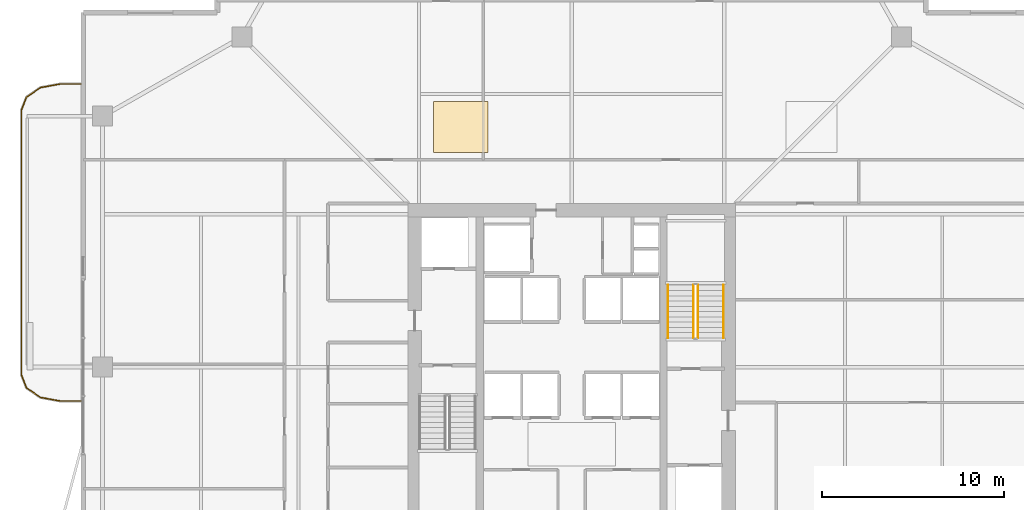
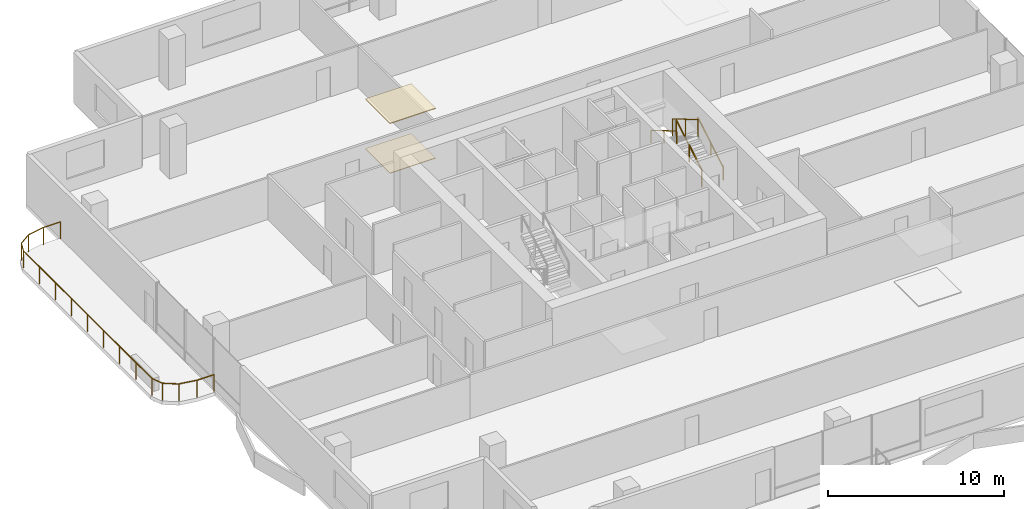
# One storey, part 23 of 24: 5 railings, 2 coverings.
"""IFC4 building model written with IfcOpenShell, lengths in metres."""

from ifc_helpers import new_model, si_unit, direction, frame, origin, origin_2d, place, context, subcontext, project, spatial, polyline, rectangle, outline, extrude, material, layer, layer_set, type_object, element, save


model = new_model("IFC4")

# Units and contexts
model_context = context("Model", 3, precision=1e-05, world=origin(), true_north=direction((0.0, 1.0)))
body_context = subcontext(model_context, "Body", "Model", "MODEL_VIEW")
ifc_project = project(units=[si_unit("LENGTHUNIT", "METRE"), si_unit("AREAUNIT", "SQUARE_METRE"), si_unit("VOLUMEUNIT", "CUBIC_METRE"), si_unit("PLANEANGLEUNIT", "RADIAN"), si_unit("MASSUNIT", "GRAM", prefix="KILO")], contexts=[model_context])

# Site, building, storey
site_placement = place(None, origin())
site = spatial("IfcSite", under=ifc_project, at=site_placement, CompositionType="ELEMENT")
building_placement = place(site_placement, origin())
building = spatial("IfcBuilding", under=site, at=building_placement, Name="Belovzor Exchange Tower", CompositionType="ELEMENT")
storey_placement = place(building_placement, frame((0.0, 0.0, 207.449951171875)))
storey = spatial("IfcBuildingStorey", under=building, at=storey_placement, Name="L51", CompositionType="ELEMENT", Elevation=207.449951171875)

# Railings
ifc_material_1 = material(Name="Stainless Steel Grade 304", Category="steel")
railing_type_1 = type_object("IfcRailingType", Name="Brushed Stainless Steel Stair Handrail 900", PredefinedType="HANDRAIL", material=ifc_material_1)
railing_1_placement = place(storey_placement, frame((37.14990234375, 30.39990234375, 0.17041015625)))
element("IfcRailing", 1, at=railing_1_placement, inside=storey, type_object=railing_type_1, Name="L51 ST-2 stair handrail 1", PredefinedType="HANDRAIL", context=body_context, shape_type="SweptSolid", body=[
    extrude(rectangle(XDim=0.048095703125, YDim=0.048095703125, at=origin_2d()), frame((0.0, 0.0, 0.8759765625), z_axis=(0.0, 0.862113265706, 0.506715617574), x_axis=(-1.0, 0.0, 0.0)), (0.0, 0.0, 1.0), 3.364013671875),
    extrude(rectangle(XDim=0.0419921875, YDim=0.0419921875, at=origin_2d()), origin(), (0.0, 0.0, 1.0), 0.851806640625),
    extrude(rectangle(XDim=0.0419921875, YDim=0.0419921875, at=origin_2d()), frame((0.0, 1.4501953125, 0.852294921875)), (0.0, 0.0, 1.0), 0.851806640625),
    extrude(rectangle(XDim=0.0419921875, YDim=0.0419921875, at=origin_2d()), frame((0.0, 2.900146484375, 1.70458984375)), (0.0, 0.0, 1.0), 0.851806640625),
])
railing_2_placement = place(storey_placement, frame((34.10009765625, 33.300048828125, 2.04541015625)))
element("IfcRailing", 2, at=railing_2_placement, inside=storey, type_object=railing_type_1, Name="L51 ST-2 stair handrail 2", PredefinedType="HANDRAIL", context=body_context, shape_type="SweptSolid", body=[
    extrude(rectangle(XDim=0.048095703125, YDim=0.048095703125, at=origin_2d()), frame((0.0, 0.0, 0.8759765625), z_axis=(0.0, -0.862113265706, 0.506715617574), x_axis=(1.0, 0.0, 0.0)), (0.0, 0.0, 1.0), 3.364013671875),
    extrude(rectangle(XDim=0.0419921875, YDim=0.0419921875, at=origin_2d()), origin(), (0.0, 0.0, 1.0), 0.851806640625),
    extrude(rectangle(XDim=0.0419921875, YDim=0.0419921875, at=origin_2d()), frame((0.0, -1.4501953125, 0.852294921875)), (0.0, 0.0, 1.0), 0.851806640625),
    extrude(rectangle(XDim=0.0419921875, YDim=0.0419921875, at=origin_2d()), frame((0.0, -2.900146484375, 1.70458984375)), (0.0, 0.0, 1.0), 0.851806640625),
])
ifc_material_2 = material(Name="Stainless Steel and Laminated Safety Glass", Category="steel")
railing_type_2 = type_object("IfcRailingType", Name="Laminated Glass & Stainless Steel Balcony Balustrade 1200", PredefinedType="BALUSTRADE", material=ifc_material_2)
railing_3_placement = place(storey_placement, frame((1.7900390625, 44.3701171875, 0.0)))
element("IfcRailing", 3, at=railing_3_placement, inside=storey, type_object=railing_type_2, Name="GR-1 Balcony Balustrade L51 West", PredefinedType="BALUSTRADE", context=body_context, shape_type="SweptSolid", body=[
    extrude(rectangle(XDim=0.048095703125, YDim=0.048095703125, at=origin_2d()), frame((0.0, 0.0, 1.17578125), z_axis=(-1.0, 0.0, 0.0), x_axis=(0.0, -1.0, 0.0)), (0.0, 0.0, 1.0), 1.133056640625),
    extrude(rectangle(XDim=0.048095703125, YDim=0.048095703125, at=origin_2d()), frame((-1.133056640625, 0.0, 1.17578125), z_axis=(-0.983644145941, -0.180122719713, 0.0), x_axis=(0.180122719713, -0.983644145941, 0.0)), (0.0, 0.0, 1.0), 1.09375),
    extrude(rectangle(XDim=0.048095703125, YDim=0.048095703125, at=origin_2d()), frame((-2.208984375, -0.197021484375, 1.17578125), z_axis=(-0.826493025367, -0.56294695933, 0.0), x_axis=(0.56294695933, -0.826493025367, 0.0)), (0.0, 0.0, 1.0), 0.932861328125),
    extrude(rectangle(XDim=0.048095703125, YDim=0.048095703125, at=origin_2d()), frame((-2.97998046875, -0.72216796875, 1.17578125), z_axis=(-0.365612923861, -0.930766990125, 0.0), x_axis=(0.930766990125, -0.365612923861, 0.0)), (0.0, 0.0, 1.0), 0.765869140625),
    extrude(rectangle(XDim=0.048095703125, YDim=0.048095703125, at=origin_2d()), frame((-3.260009765625, -1.43505859375, 1.17578125), z_axis=(0.0, -1.0, 0.0), x_axis=(1.0, 0.0, 0.0)), (0.0, 0.0, 1.0), 14.570068359375),
    extrude(rectangle(XDim=0.048095703125, YDim=0.048095703125, at=origin_2d()), frame((-3.260009765625, -16.005126953125, 1.17578125), z_axis=(0.365612923861, -0.930766990125, 0.0), x_axis=(0.930766990125, 0.365612923861, 0.0)), (0.0, 0.0, 1.0), 0.765869140625),
    extrude(rectangle(XDim=0.048095703125, YDim=0.048095703125, at=origin_2d()), frame((-2.97998046875, -16.718017578125, 1.17578125), z_axis=(0.826493025367, -0.56294695933, 0.0), x_axis=(0.56294695933, 0.826493025367, 0.0)), (0.0, 0.0, 1.0), 0.932861328125),
    extrude(rectangle(XDim=0.048095703125, YDim=0.048095703125, at=origin_2d()), frame((-2.208984375, -17.2431640625, 1.17578125), z_axis=(0.983644145941, -0.180122719713, 0.0), x_axis=(0.180122719713, 0.983644145941, 0.0)), (0.0, 0.0, 1.0), 1.09375),
    extrude(rectangle(XDim=0.048095703125, YDim=0.048095703125, at=origin_2d()), frame((-1.133056640625, -17.440185546875, 1.17578125), z_axis=(1.0, 0.0, 0.0), x_axis=(0.0, 1.0, 0.0)), (0.0, 0.0, 1.0), 1.133056640625),
    extrude(rectangle(XDim=0.0419921875, YDim=0.0419921875, at=origin_2d()), origin(), (0.0, 0.0, 1.0), 1.15185546875),
    extrude(rectangle(XDim=0.0419921875, YDim=0.0419921875, at=origin_2d()), frame((-1.133056640625, 0.0, 0.0)), (0.0, 0.0, 1.0), 1.15185546875),
    extrude(rectangle(XDim=0.0419921875, YDim=0.0419921875, at=origin_2d()), frame((-2.208984375, -0.197021484375, 0.0)), (0.0, 0.0, 1.0), 1.15185546875),
    extrude(rectangle(XDim=0.0419921875, YDim=0.0419921875, at=origin_2d()), frame((-2.97998046875, -0.72216796875, 0.0)), (0.0, 0.0, 1.0), 1.15185546875),
    extrude(rectangle(XDim=0.0419921875, YDim=0.0419921875, at=origin_2d()), frame((-3.260009765625, -1.43505859375, 0.0)), (0.0, 0.0, 1.0), 1.15185546875),
    extrude(rectangle(XDim=0.0419921875, YDim=0.0419921875, at=origin_2d()), frame((-3.260009765625, -3.25634765625, 0.0)), (0.0, 0.0, 1.0), 1.15185546875),
    extrude(rectangle(XDim=0.0419921875, YDim=0.0419921875, at=origin_2d()), frame((-3.260009765625, -5.07763671875, 0.0)), (0.0, 0.0, 1.0), 1.15185546875),
    extrude(rectangle(XDim=0.0419921875, YDim=0.0419921875, at=origin_2d()), frame((-3.260009765625, -6.89892578125, 0.0)), (0.0, 0.0, 1.0), 1.15185546875),
    extrude(rectangle(XDim=0.0419921875, YDim=0.0419921875, at=origin_2d()), frame((-3.260009765625, -8.72021484375, 0.0)), (0.0, 0.0, 1.0), 1.15185546875),
    extrude(rectangle(XDim=0.0419921875, YDim=0.0419921875, at=origin_2d()), frame((-3.260009765625, -10.541259765625, 0.0)), (0.0, 0.0, 1.0), 1.15185546875),
    extrude(rectangle(XDim=0.0419921875, YDim=0.0419921875, at=origin_2d()), frame((-3.260009765625, -12.362548828125, 0.0)), (0.0, 0.0, 1.0), 1.15185546875),
    extrude(rectangle(XDim=0.0419921875, YDim=0.0419921875, at=origin_2d()), frame((-3.260009765625, -14.183837890625, 0.0)), (0.0, 0.0, 1.0), 1.15185546875),
    extrude(rectangle(XDim=0.0419921875, YDim=0.0419921875, at=origin_2d()), frame((-3.260009765625, -16.005126953125, 0.0)), (0.0, 0.0, 1.0), 1.15185546875),
    extrude(rectangle(XDim=0.0419921875, YDim=0.0419921875, at=origin_2d()), frame((-2.97998046875, -16.718017578125, 0.0)), (0.0, 0.0, 1.0), 1.15185546875),
    extrude(rectangle(XDim=0.0419921875, YDim=0.0419921875, at=origin_2d()), frame((-2.208984375, -17.2431640625, 0.0)), (0.0, 0.0, 1.0), 1.15185546875),
    extrude(rectangle(XDim=0.0419921875, YDim=0.0419921875, at=origin_2d()), frame((-1.133056640625, -17.440185546875, 0.0)), (0.0, 0.0, 1.0), 1.15185546875),
    extrude(rectangle(XDim=0.0419921875, YDim=0.0419921875, at=origin_2d()), frame((0.0, -17.440185546875, 0.0)), (0.0, 0.0, 1.0), 1.15185546875),
])
ifc_material_3 = material(Name="Steel S355", Category="steel")
railing_type_3 = type_object("IfcRailingType", Name="Painted Steel Stairwell Guardrail 1200", PredefinedType="GUARDRAIL", material=ifc_material_3)
railing_4_placement = place(storey_placement, frame((35.75, 30.39990234375, 0.17041015625)))
element("IfcRailing", 4, at=railing_4_placement, inside=storey, type_object=railing_type_3, Name="L51 ST-2 stair guard 1", PredefinedType="GUARDRAIL", context=body_context, shape_type="SweptSolid", body=[
    extrude(rectangle(XDim=0.048095703125, YDim=0.048095703125, at=origin_2d()), frame((0.0, 0.0, 1.17578125), z_axis=(0.0, 0.862113265706, 0.506715617574), x_axis=(-1.0, 0.0, 0.0)), (0.0, 0.0, 1.0), 3.364013671875),
    extrude(rectangle(XDim=0.0419921875, YDim=0.0419921875, at=origin_2d()), origin(), (0.0, 0.0, 1.0), 1.15185546875),
    extrude(rectangle(XDim=0.0419921875, YDim=0.0419921875, at=origin_2d()), frame((0.0, 1.4501953125, 0.852294921875)), (0.0, 0.0, 1.0), 1.15185546875),
    extrude(rectangle(XDim=0.0419921875, YDim=0.0419921875, at=origin_2d()), frame((0.0, 2.900146484375, 1.70458984375)), (0.0, 0.0, 1.0), 1.15185546875),
])
railing_5_placement = place(storey_placement, frame((35.5, 33.300048828125, 2.04541015625)))
element("IfcRailing", 5, at=railing_5_placement, inside=storey, type_object=railing_type_3, Name="L51 ST-2 stair guard 3", PredefinedType="GUARDRAIL", context=body_context, shape_type="SweptSolid", body=[
    extrude(rectangle(XDim=0.048095703125, YDim=0.048095703125, at=origin_2d()), frame((0.0, 0.0, 1.17578125), z_axis=(0.0, -0.862113265706, 0.506715617574), x_axis=(1.0, 0.0, 0.0)), (0.0, 0.0, 1.0), 3.364013671875),
    extrude(rectangle(XDim=0.0419921875, YDim=0.0419921875, at=origin_2d()), origin(), (0.0, 0.0, 1.0), 1.15185546875),
    extrude(rectangle(XDim=0.0419921875, YDim=0.0419921875, at=origin_2d()), frame((0.0, -1.4501953125, 0.852294921875)), (0.0, 0.0, 1.0), 1.15185546875),
    extrude(rectangle(XDim=0.0419921875, YDim=0.0419921875, at=origin_2d()), frame((0.0, -2.900146484375, 1.70458984375)), (0.0, 0.0, 1.0), 1.15185546875),
])

# Coverings
ifc_material_4 = material(Name="Perforated Powder-Coated Aluminium", Category="aluminium")
ifc_layer_1 = layer(ifc_material_4, 0.06005859375)
ifc_layer_set_1 = layer_set([ifc_layer_1], Name="Perforated Powder-Coated Aluminium")
covering_type_1 = type_object("IfcCoveringType", Name="Perforated Acoustic Metal Tile Suspended Ceiling 60", PredefinedType="CEILING", material=ifc_layer_set_1)
covering_1_placement = place(storey_placement, frame((0.0, 0.0, 3.43994140625)))
element("IfcCovering", 6, at=covering_1_placement, inside=storey, type_object=covering_type_1, Name="CLG-AC60 Suspended Ceiling CLG-L51-Z3", PredefinedType="CEILING", context=body_context, shape_type="SweptSolid", body=[
    extrude(outline(polyline([(21.199951171875, 40.60009765625), (24.199951171875, 40.60009765625), (24.199951171875, 43.39990234375), (21.199951171875, 43.39990234375), (21.199951171875, 40.60009765625)])), origin(), (0.0, 0.0, 1.0), 0.06005859375),
])
ifc_material_5 = material(Name="Polished Natural Granite Tile", Category="masonry")
ifc_layer_2 = layer(ifc_material_5, 0.050048828125)
ifc_layer_set_2 = layer_set([ifc_layer_2], Name="Polished Natural Granite Tile")
covering_type_2 = type_object("IfcCoveringType", Name="Polished Karelian Granite & Raised Access Floor Finish 50", PredefinedType="FLOORING", material=ifc_layer_set_2)
covering_2_placement = place(storey_placement, origin())
element("IfcCovering", 7, at=covering_2_placement, inside=storey, type_object=covering_type_2, Name="FLR-GR50 Floor Finish FLR-L51-Z3", PredefinedType="FLOORING", context=body_context, shape_type="SweptSolid", body=[
    extrude(outline(polyline([(21.199951171875, 40.60009765625), (24.199951171875, 40.60009765625), (24.199951171875, 43.39990234375), (21.199951171875, 43.39990234375), (21.199951171875, 40.60009765625)])), origin(), (0.0, 0.0, 1.0), 0.050048828125),
])

save(model, "model.ifc")
